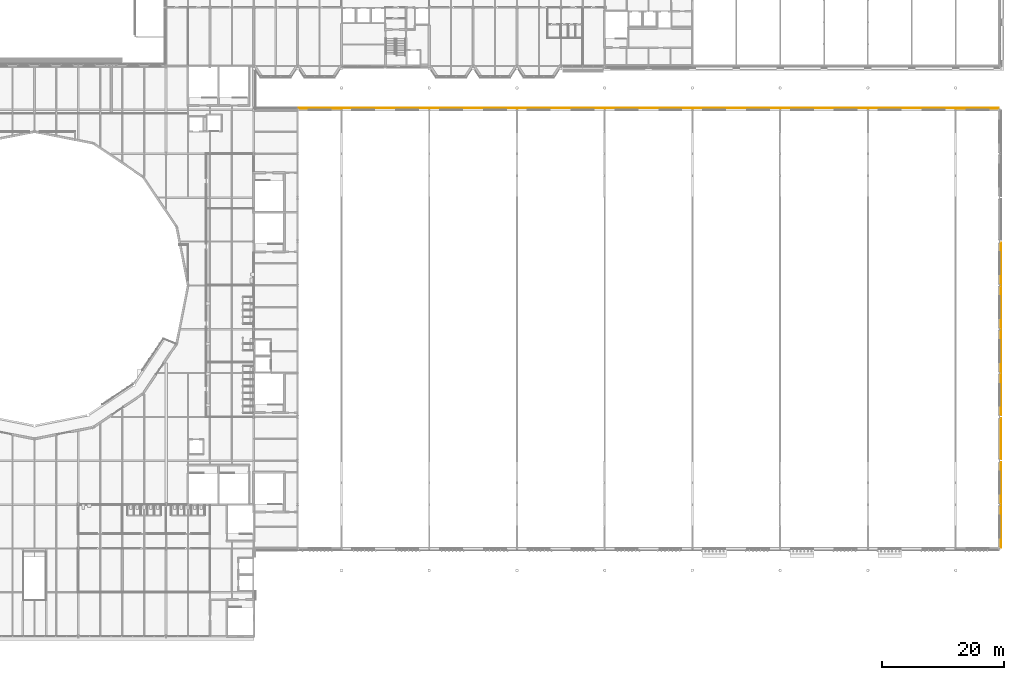
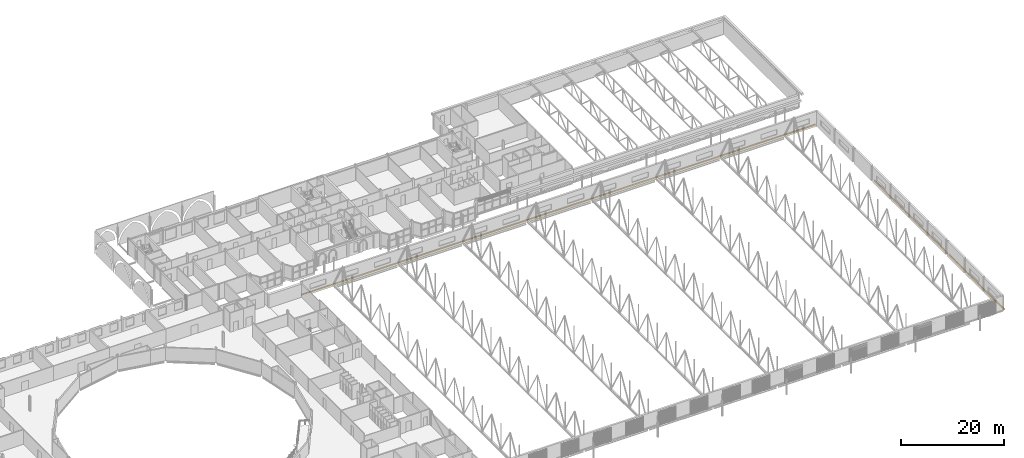
# One storey, part 135 of 142: 8 coverings.
"""IFC4 building model written with IfcOpenShell, lengths in metres."""

from ifc_helpers import new_model, si_unit, direction, frame, origin, origin_2d, place, context, subcontext, project, spatial, rectangle, extrude, material, layer, layer_set, type_object, element, save


model = new_model("IFC4")

# Units and contexts
model_context = context("Model", 3, precision=1e-05, world=origin(), true_north=direction((0.0, 1.0)))
body_context = subcontext(model_context, "Body", "Model", "MODEL_VIEW")
ifc_project = project(units=[si_unit("LENGTHUNIT", "METRE"), si_unit("AREAUNIT", "SQUARE_METRE"), si_unit("VOLUMEUNIT", "CUBIC_METRE"), si_unit("PLANEANGLEUNIT", "RADIAN"), si_unit("MASSUNIT", "GRAM", prefix="KILO")], contexts=[model_context])

# Site, building, storey
site_placement = place(None, origin())
site = spatial("IfcSite", under=ifc_project, at=site_placement, CompositionType="ELEMENT")
building_placement = place(site_placement, origin())
building = spatial("IfcBuilding", under=site, at=building_placement, Name="Kupolbacken Congress Centre", CompositionType="ELEMENT")
storey_placement = place(building_placement, frame((0.0, 0.0, 14.39990234375)))
storey = spatial("IfcBuildingStorey", under=building, at=storey_placement, Name="L04", CompositionType="ELEMENT", Elevation=14.39990234375)

# Coverings
ifc_material = material(Name="Brick cladding", Category="masonry")
ifc_layer = layer(ifc_material, 0.10791015625)
ifc_layer_set = layer_set([ifc_layer], Name="Brick cladding")
covering_type = type_object("IfcCoveringType", Name="CV2 brick cladding band 108", PredefinedType="CLADDING", material=ifc_layer_set)
covering_1_placement = place(storey_placement, frame((201.864013671875, 46.800048828125, 0.0), z_axis=(0.0, 0.0, 1.0), x_axis=(0.0, 1.0, 0.0)))
element("IfcCovering", 1, at=covering_1_placement, inside=storey, type_object=covering_type, Name="E/H/E/L04/428/band", PredefinedType="CLADDING", context=body_context, shape_type="SweptSolid", body=[
    extrude(rectangle(XDim=6.909912109375, YDim=0.10791015625, at=origin_2d()), origin(), (0.0, 0.0, 1.0), 0.300048828125),
])
covering_2_placement = place(storey_placement, frame((201.864013671875, 53.949951171875, 0.0), z_axis=(0.0, 0.0, 1.0), x_axis=(0.0, 1.0, 0.0)))
element("IfcCovering", 2, at=covering_2_placement, inside=storey, type_object=covering_type, Name="E/H/E/L04/429/band", PredefinedType="CLADDING", context=body_context, shape_type="SweptSolid", body=[
    extrude(rectangle(XDim=6.81005859375, YDim=0.10791015625, at=origin_2d()), origin(), (0.0, 0.0, 1.0), 0.300048828125),
])
covering_3_placement = place(storey_placement, frame((201.864013671875, 61.199951171875, 0.0), z_axis=(0.0, 0.0, 1.0), x_axis=(0.0, 1.0, 0.0)))
element("IfcCovering", 3, at=covering_3_placement, inside=storey, type_object=covering_type, Name="E/H/E/L04/430/band", PredefinedType="CLADDING", context=body_context, shape_type="SweptSolid", body=[
    extrude(rectangle(XDim=6.7099609375, YDim=0.10791015625, at=origin_2d()), origin(), (0.0, 0.0, 1.0), 0.300048828125),
])
covering_4_placement = place(storey_placement, frame((201.864013671875, 68.449951171875, 0.0), z_axis=(0.0, 0.0, 1.0), x_axis=(0.0, 1.0, 0.0)))
element("IfcCovering", 4, at=covering_4_placement, inside=storey, type_object=covering_type, Name="E/H/E/L04/431/band", PredefinedType="CLADDING", context=body_context, shape_type="SweptSolid", body=[
    extrude(rectangle(XDim=6.81005859375, YDim=0.10791015625, at=origin_2d()), origin(), (0.0, 0.0, 1.0), 0.300048828125),
])
for number, where, z_axis, x_axis, name in (
    (5, (201.864013671875, 75.60009765625, 0.0), (0.0, 0.0, 1.0), (0.0, 1.0, 0.0), "E/H/E/L04/432/band"),
    (6, (201.864013671875, 82.800048828125, 0.0), (0.0, 0.0, 1.0), (0.0, 1.0, 0.0), "E/H/E/L04/433/band"),
):
    element("IfcCovering", number, at=place(storey_placement, frame(where, z_axis=z_axis, x_axis=x_axis)), inside=storey, type_object=covering_type, Name=name, PredefinedType="CLADDING", context=body_context, shape_type="SweptSolid", body=[
        extrude(rectangle(XDim=6.909912109375, YDim=0.10791015625, at=origin_2d()), origin(), (0.0, 0.0, 1.0), 0.300048828125),
    ])
covering_5_placement = place(storey_placement, frame((201.864013671875, 89.949951171875, 0.0), z_axis=(0.0, 0.0, 1.0), x_axis=(0.0, 1.0, 0.0)))
element("IfcCovering", 7, at=covering_5_placement, inside=storey, type_object=covering_type, Name="E/H/E/L04/434/band", PredefinedType="CLADDING", context=body_context, shape_type="SweptSolid", body=[
    extrude(rectangle(XDim=6.81005859375, YDim=0.10791015625, at=origin_2d()), origin(), (0.0, 0.0, 1.0), 0.300048828125),
])
covering_6_placement = place(storey_placement, frame((144.0, 115.464111328125, 0.0), z_axis=(0.0, 0.0, 1.0), x_axis=(-1.0, 0.0, 0.0)))
element("IfcCovering", 8, at=covering_6_placement, inside=storey, type_object=covering_type, Name="E/H/N/L04/438/band", PredefinedType="CLADDING", context=body_context, shape_type="SweptSolid", body=[
    extrude(rectangle(XDim=114.89990234375, YDim=0.10791015625, at=origin_2d()), origin(), (0.0, 0.0, 1.0), 0.300048828125),
])

save(model, "model.ifc")
